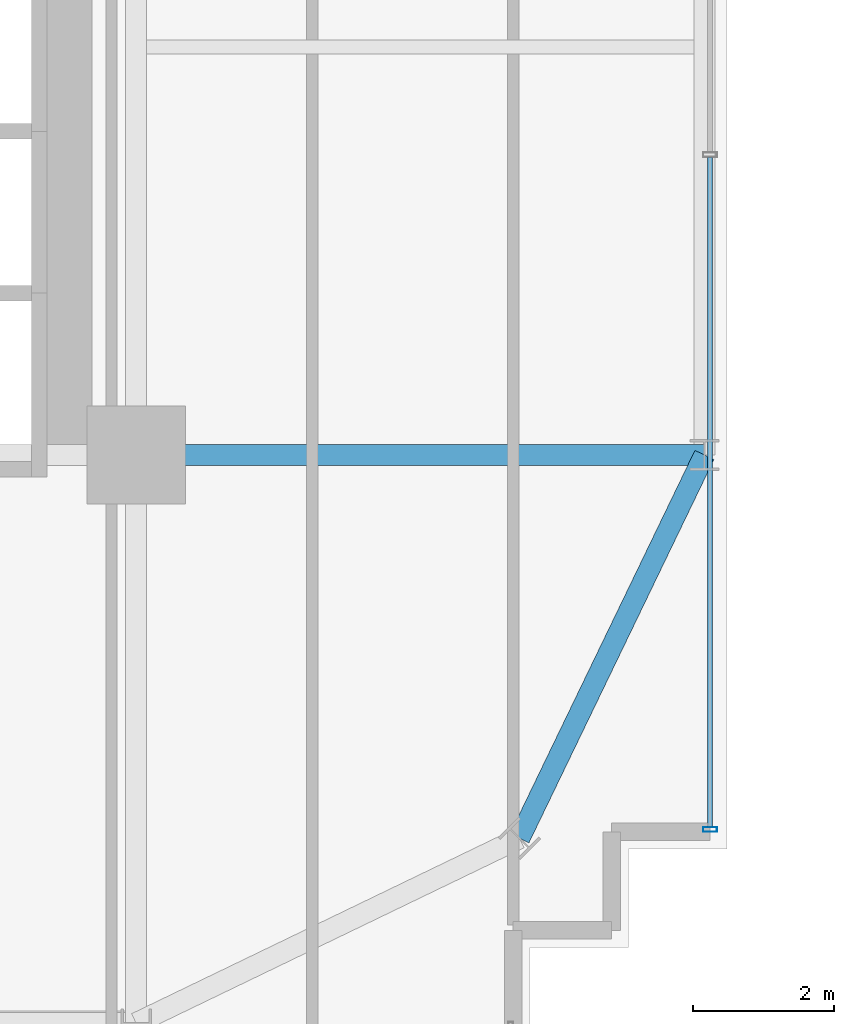
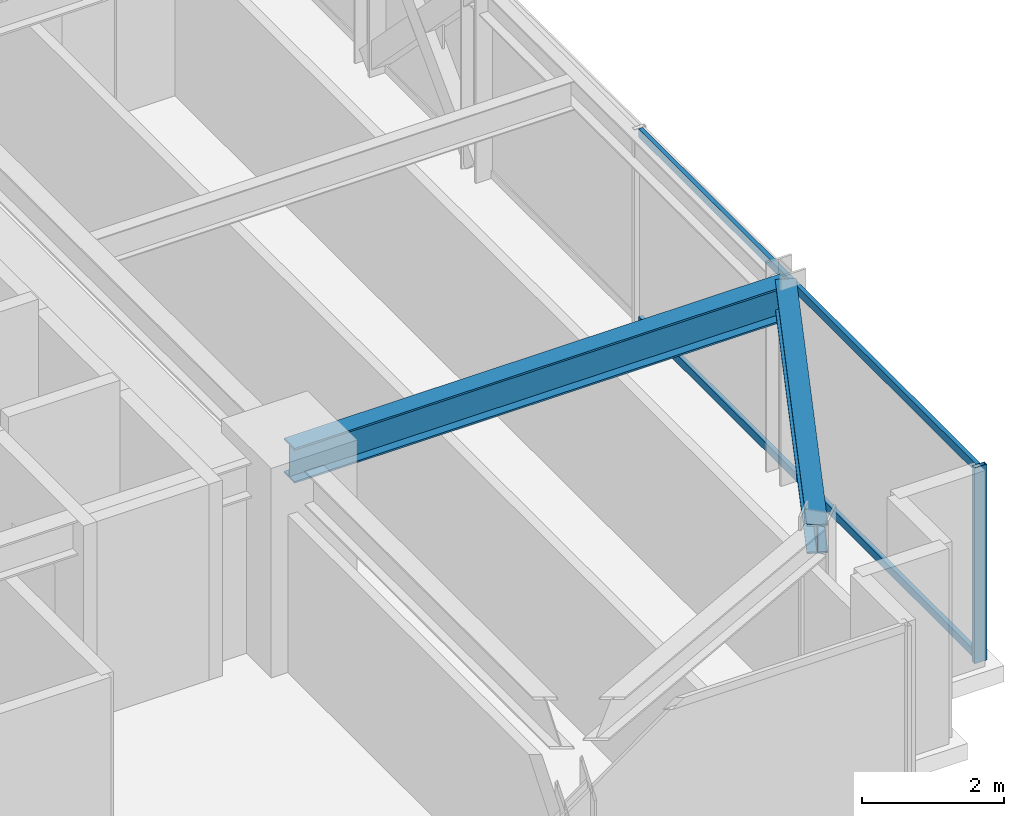
# One storey, part 14 of 43: 3 members, 2 beams, 1 element without a shape of its own.
"""IFC4 building model written with IfcOpenShell, lengths in metres."""

import ifcopenshell
import ifcopenshell.guid

model = None  # the IFC model being written
_history = None  # IfcOwnerHistory: only IFC2X3 demands one
_inside = {}  # id of a spatial element -> (the spatial element, [elements in it])
_under = {}  # id of a project, library or spatial element -> (it, [spatial elements below it])
_declared = {}  # id of a project -> (the project, [libraries it declares])
_typed = {}  # id of a type object -> (the type object, [elements of that type])
_made_of = {}  # id of a material, layer set ... -> (it, [elements and type objects made of it])


def new_model(schema):
    """Start an empty IFC model of exactly this schema.

    Asked for "IFC4X3", IfcOpenShell would pick the latest addendum, in which some entities
    have other attributes; the version numbers below select the first issue.
    IFC2X3 requires an IfcOwnerHistory on every rooted entity: one is made here for all.
    """
    global model, _history
    if schema == "IFC4X3":
        model = ifcopenshell.file(schema_version=(4, 3, 0, 0))
    else:
        model = ifcopenshell.file(schema=schema)
    _inside.clear()
    _under.clear()
    _declared.clear()
    _typed.clear()
    _made_of.clear()
    _history = None
    if model.schema == "IFC2X3":
        org = make("IfcOrganization", Name="unknown")
        user = make(
            "IfcPersonAndOrganization",
            ThePerson=make("IfcPerson", FamilyName="unknown"),
            TheOrganization=org,
        )
        app = make(
            "IfcApplication",
            ApplicationDeveloper=org,
            Version="unknown",
            ApplicationFullName="unknown",
            ApplicationIdentifier="unknown",
        )
        _history = make(
            "IfcOwnerHistory",
            OwningUser=user,
            OwningApplication=app,
            ChangeAction="ADDED",
            CreationDate=0,
        )
    return model


def make(cls, **values):
    """One entity of the class cls with the attributes given. An attribute that is None is left unset."""
    return model.create_entity(
        cls, **{name: value for name, value in values.items() if value is not None}
    )


def rooted(cls, **values):
    """An entity with a GlobalId (a new one), such as an element, a storey or a relation."""
    return make(cls, GlobalId=ifcopenshell.guid.new(), OwnerHistory=_history, **values)


def si_unit(unit_type, name, prefix=None):
    """IfcSIUnit, for example si_unit("LENGTHUNIT", "METRE", prefix="MILLI")."""
    return make("IfcSIUnit", UnitType=unit_type, Prefix=prefix, Name=name)


def assignment(units):
    """IfcUnitAssignment: the units of a project."""
    return None if units is None else make("IfcUnitAssignment", Units=units)


def point(xyz):
    """IfcCartesianPoint."""
    return None if xyz is None else make("IfcCartesianPoint", Coordinates=xyz)


def direction(xyz):
    """IfcDirection."""
    return None if xyz is None else make("IfcDirection", DirectionRatios=xyz)


def frame(location, z_axis=None, x_axis=None):
    """IfcAxis2Placement3D, a coordinate frame: its origin and axes. An axis left out is left unset."""
    return make(
        "IfcAxis2Placement3D",
        Location=point(location),
        Axis=direction(z_axis),
        RefDirection=direction(x_axis),
    )


def frame_2d(location, x_axis=None):
    """IfcAxis2Placement2D, a coordinate frame in the plane: its origin and x axis."""
    return make(
        "IfcAxis2Placement2D", Location=point(location), RefDirection=direction(x_axis)
    )


def origin():
    """The frame at (0, 0, 0) with its axes left unset."""
    return frame((0.0, 0.0, 0.0))


def origin_2d():
    """The frame at (0, 0) in the plane with its x axis left unset."""
    return frame_2d((0.0, 0.0))


def place(relative_to, where):
    """IfcLocalPlacement: puts the frame where relative to a parent placement (None: the world)."""
    return make(
        "IfcLocalPlacement", PlacementRelTo=relative_to, RelativePlacement=where
    )


def context(
    kind, dimensions, precision=None, world=None, true_north=None, identifier=None
):
    """IfcGeometricRepresentationContext, for example the 3D "Model" context."""
    return make(
        "IfcGeometricRepresentationContext",
        ContextIdentifier=identifier,
        ContextType=kind,
        CoordinateSpaceDimension=dimensions,
        Precision=precision,
        WorldCoordinateSystem=world,
        TrueNorth=true_north,
    )


def subcontext(parent, identifier, kind, view, scale=None):
    """IfcGeometricRepresentationSubContext, for example "Body" below "Model"."""
    return make(
        "IfcGeometricRepresentationSubContext",
        ContextIdentifier=identifier,
        ContextType=kind,
        ParentContext=parent,
        TargetScale=scale,
        TargetView=view,
    )


def project(units=None, contexts=None):
    """IfcProject with its units and contexts."""
    return rooted(
        "IfcProject",
        Name="project",
        RepresentationContexts=contexts,
        UnitsInContext=assignment(units),
    )


def spatial(cls, under=None, at=None, **own):
    """A site, building, storey or space (cls), placed at a placement, below another one or the project."""
    s = rooted(cls, ObjectPlacement=at, **own)
    if under is not None:
        _under.setdefault(under.id(), (under, []))[1].append(s)
    return s


def profile(cls, at=None, kind="AREA", **sizes):
    """A parametric profile (cls). Its sizes go by their IFC names, for example OverallWidth=200.0."""
    return make(cls, ProfileType=kind, Position=at, **sizes)


def hollow_rectangle(**sizes):
    """IfcRectangleHollowProfileDef."""
    return profile("IfcRectangleHollowProfileDef", **sizes)


def i_section(**sizes):
    """IfcIShapeProfileDef."""
    return profile("IfcIShapeProfileDef", **sizes)


def extrude(swept, where, along, depth):
    """IfcExtrudedAreaSolid: the profile swept, set in the frame where, extruded along a direction by depth."""
    return make(
        "IfcExtrudedAreaSolid",
        SweptArea=swept,
        Position=where,
        ExtrudedDirection=direction(along),
        Depth=depth,
    )


def shape(context_of_items, identifier, shape_type, items):
    """IfcShapeRepresentation: the items that make up one representation, for example the "Body"."""
    return make(
        "IfcShapeRepresentation",
        ContextOfItems=context_of_items,
        RepresentationIdentifier=identifier,
        RepresentationType=shape_type,
        Items=items,
    )


def source(mapping_origin, context_of_items, identifier, shape_type, items):
    """IfcRepresentationMap: a shape defined once, which mapped items show again and again."""
    return make(
        "IfcRepresentationMap",
        MappingOrigin=mapping_origin,
        MappedRepresentation=shape(context_of_items, identifier, shape_type, items),
    )


def transform(
    local_origin,
    x_axis=None,
    y_axis=None,
    z_axis=None,
    scale=None,
    scale2=None,
    scale3=None,
    uniform=True,
):
    """IfcCartesianTransformationOperator3D, or its non-uniform kind. x_axis, y_axis, z_axis: its Axis1, 2, 3."""
    if uniform:
        return make(
            "IfcCartesianTransformationOperator3D",
            Axis1=direction(x_axis),
            Axis2=direction(y_axis),
            LocalOrigin=point(local_origin),
            Scale=scale,
            Axis3=direction(z_axis),
        )
    return make(
        "IfcCartesianTransformationOperator3DnonUniform",
        Axis1=direction(x_axis),
        Axis2=direction(y_axis),
        LocalOrigin=point(local_origin),
        Scale=scale,
        Axis3=direction(z_axis),
        Scale2=scale2,
        Scale3=scale3,
    )


def mapped(mapping_source, mapping_target):
    """IfcMappedItem: shows the shape of a source again, moved by a transform."""
    return make(
        "IfcMappedItem", MappingSource=mapping_source, MappingTarget=mapping_target
    )


def material(Name=None, Category=None):
    """IfcMaterial."""
    return make("IfcMaterial", Name=Name, Category=Category)


def material_profile(
    of_material, cross_section, Name=None, Category=None, Priority=None
):
    """IfcMaterialProfile: a cross section and its material."""
    return make(
        "IfcMaterialProfile",
        Name=Name,
        Material=of_material,
        Profile=cross_section,
        Priority=Priority,
        Category=Category,
    )


def profile_set(profiles, Name=None, composite=None):
    """IfcMaterialProfileSet."""
    return make(
        "IfcMaterialProfileSet",
        Name=Name,
        MaterialProfiles=profiles,
        CompositeProfile=composite,
    )


def made_of(thing, what):
    """Note that an element or type object is made of a material, layer set ...; save() writes the relation."""
    if what is not None:
        _made_of.setdefault(what.id(), (what, []))[1].append(thing)
    return thing


def type_object(cls, material=None, **own):
    """A type object (cls), such as IfcWallType, which elements share."""
    return made_of(rooted(cls, **own), material)


def element(
    cls,
    number,
    at=None,
    inside=None,
    cuts=None,
    type_object=None,
    material=None,
    context=None,
    identifier="Body",
    shape_type=None,
    held_by="IfcProductDefinitionShape",
    body=None,
    shapes=None,
    **own,
):
    """One element of the class cls, such as IfcWall. Its Tag is "e" and its number.

    at: its placement. inside: the storey or other place that contains it. cuts: it is an
    opening in that element (IfcRelVoidsElement). A single representation is given by context,
    identifier, shape_type and body (its items); several are given by shapes. held_by: the class
    of the entity that holds the representations. save() writes the other relations.
    """
    e = rooted(cls, Tag="e%d" % number, ObjectPlacement=at, **own)
    if body is not None:
        shapes = [shape(context, identifier, shape_type, body)]
    if shapes is not None:
        e.Representation = make(held_by, Representations=shapes)
    if inside is not None:
        _inside.setdefault(inside.id(), (inside, []))[1].append(e)
    if cuts is not None:
        rooted(
            "IfcRelVoidsElement", RelatingBuildingElement=cuts, RelatedOpeningElement=e
        )
    if type_object is not None:
        _typed.setdefault(type_object.id(), (type_object, []))[1].append(e)
    return made_of(e, material)


def aggregate(whole, parts):
    """IfcRelAggregates: a whole, such as a stair, and the parts it consists of."""
    return rooted("IfcRelAggregates", RelatingObject=whole, RelatedObjects=parts)


def save(model, path):
    """Write the relations noted so far, then the file.

    IfcRelAggregates (storeys below a building ...), IfcRelContainedInSpatialStructure (elements
    in a storey), IfcRelDefinesByType, IfcRelAssociatesMaterial and IfcRelDeclares: one each for
    every whole, place, type object, material and project.
    """
    for whole, parts in _under.values():
        aggregate(whole, parts)
    for where, things in _inside.values():
        rooted(
            "IfcRelContainedInSpatialStructure",
            RelatedElements=things,
            RelatingStructure=where,
        )
    for kind, things in _typed.values():
        rooted("IfcRelDefinesByType", RelatedObjects=things, RelatingType=kind)
    for what, things in _made_of.values():
        rooted("IfcRelAssociatesMaterial", RelatedObjects=things, RelatingMaterial=what)
    for by, libraries in _declared.values():
        rooted("IfcRelDeclares", RelatingContext=by, RelatedDefinitions=libraries)
    model.write(path)


model = new_model("IFC4")

# Units and contexts
model_context = context("Model", 3, precision=1e-05, world=origin(), true_north=direction((0.0, 1.0)))
body_context = subcontext(model_context, "Body", "Model", "MODEL_VIEW")
ifc_project = project(units=[si_unit("LENGTHUNIT", "METRE"), si_unit("AREAUNIT", "SQUARE_METRE"), si_unit("VOLUMEUNIT", "CUBIC_METRE"), si_unit("PLANEANGLEUNIT", "RADIAN"), si_unit("MASSUNIT", "GRAM", prefix="KILO")], contexts=[model_context])

# Site, building, storey
site_placement = place(None, origin())
site = spatial("IfcSite", under=ifc_project, at=site_placement, CompositionType="ELEMENT")
building_placement = place(site_placement, origin())
building = spatial("IfcBuilding", under=site, at=building_placement, Name="Nahalor Promenade Grand Hotel", CompositionType="ELEMENT")
storey_placement = place(building_placement, frame((0.0, 0.0, 57.949951171875)))
storey = spatial("IfcBuildingStorey", under=building, at=storey_placement, Name="L13", CompositionType="ELEMENT", Elevation=57.949951171875)

# Beams
ifc_material_1 = material(Name="Steel S355JR", Category="steel")
ifc_material_profile_1 = material_profile(ifc_material_1, i_section(OverallWidth=0.3, OverallDepth=0.6, WebThickness=0.0155, FlangeThickness=0.03, at=origin_2d()), Name="HEB 600")
ifc_profile_set_1 = profile_set([ifc_material_profile_1], Name="Steel S355JR")
beam_type_1 = type_object("IfcBeamType", Name="Beam-Girder-HEB600", PredefinedType="BEAM", material=ifc_profile_set_1)
shared_shape_1 = source(origin(), body_context, "Body", "SweptSolid", [
    extrude(i_section(OverallWidth=0.3, OverallDepth=0.6, WebThickness=0.0155, FlangeThickness=0.03, at=origin_2d()), origin(), (0.0, 0.0, 1.0), 8.080078125),
])
beam_1_placement = place(storey_placement, frame((17.0, -17.0, 3.070068359375), z_axis=(1.0, 0.0, 0.0), x_axis=(0.0, 1.0, 0.0)))
element("IfcBeam", 1, at=beam_1_placement, inside=storey, type_object=beam_type_1, Name="BM-L13-GX-0-6", PredefinedType="BEAM", context=body_context, shape_type="MappedRepresentation", body=[
    mapped(shared_shape_1, transform((0.0, 0.0, 0.0), scale=1.0)),
])
ifc_material_profile_2 = material_profile(ifc_material_1, i_section(OverallWidth=0.3, OverallDepth=0.5, WebThickness=0.0145, FlangeThickness=0.028, at=origin_2d()), Name="HEB 500")
ifc_profile_set_2 = profile_set([ifc_material_profile_2], Name="Steel S355JR")
beam_type_2 = type_object("IfcBeamType", Name="Beam-Spandrel-HEB500", PredefinedType="SPANDREL", material=ifc_profile_set_2)
shared_shape_2 = source(origin(), body_context, "Body", "SweptSolid", [
    extrude(i_section(OverallWidth=0.3, OverallDepth=0.5, WebThickness=0.0145, FlangeThickness=0.028, at=origin_2d()), origin(), (0.0, 0.0, 1.0), 6.051513671875),
])
beam_2_placement = place(storey_placement, frame((22.449951171875, -22.449951171875, 3.1201171875), z_axis=(0.434630596492, 0.900608818852, 0.0), x_axis=(-0.900608818852, 0.434630596492, 0.0)))
element("IfcBeam", 2, at=beam_2_placement, inside=storey, type_object=beam_type_2, Name="BM-L13-SPC-SE-2", PredefinedType="SPANDREL", context=body_context, shape_type="MappedRepresentation", body=[
    mapped(shared_shape_2, transform((0.0, 0.0, 0.0), scale=1.0)),
])

# Curtain wall, members
ifc_material_2 = material(Name="Anodised Bronze Aluminium EN AW-6063 T6", Category="aluminium")
curtain_wall_type = type_object("IfcCurtainWallType", Name="CW3 Elliptical-Void Collar Unitised Curtain Wall", PredefinedType="USERDEFINED", material=ifc_material_2)
curtain_wall_placement = place(storey_placement, origin())
curtain_wall = element("IfcCurtainWall", 3, at=curtain_wall_placement, inside=storey, type_object=curtain_wall_type, Name="L13 Curtain Wall CW-L13-E-1", ObjectType="UNITISED_CURTAIN_WALL", PredefinedType="USERDEFINED")
ifc_material_profile_3 = material_profile(ifc_material_2, hollow_rectangle(XDim=0.07, YDim=0.2, WallThickness=0.005, at=origin_2d()), Name="CWM 70x200x5")
ifc_profile_set_3 = profile_set([ifc_material_profile_3], Name="Anodised Bronze Aluminium EN AW-6063 T6")
member_type_1 = type_object("IfcMemberType", Name="CWM3 Void Collar Mullion 70x200", PredefinedType="MULLION", material=ifc_profile_set_3)
shared_shape_3 = source(origin(), body_context, "Body", "SweptSolid", [
    extrude(hollow_rectangle(XDim=0.07, YDim=0.2, WallThickness=0.005, at=origin_2d()), origin(), (0.0, 0.0, 1.0), 3.3701171875),
])
member_1_placement = place(storey_placement, frame((25.159912109375, -22.324951171875, 0.0), z_axis=(0.0, 0.0, 1.0), x_axis=(0.0, 1.0, 0.0)))
member_1 = element("IfcMember", 4, at=member_1_placement, type_object=member_type_1, Name="CW-L13-E-1 Mullion 0", PredefinedType="MULLION", context=body_context, shape_type="MappedRepresentation", body=[
    mapped(shared_shape_3, transform((0.0, 0.0, 0.0), scale=1.0)),
])
ifc_material_profile_4 = material_profile(ifc_material_2, hollow_rectangle(XDim=0.07, YDim=0.14, WallThickness=0.004, at=origin_2d()), Name="CWT 70x140x4")
ifc_profile_set_4 = profile_set([ifc_material_profile_4], Name="Anodised Bronze Aluminium EN AW-6063 T6")
member_type_2 = type_object("IfcMemberType", Name="CWT3 Void Collar Transom 70x140", PredefinedType="USERDEFINED", material=ifc_profile_set_4)
shared_shape_4 = source(origin(), body_context, "Body", "SweptSolid", [
    extrude(hollow_rectangle(XDim=0.07, YDim=0.14, WallThickness=0.004, at=origin_2d()), origin(), (0.0, 0.0, 1.0), 9.525146484375),
])
member_2_placement = place(storey_placement, frame((25.159912109375, -22.2900390625, 0.070068359375), z_axis=(0.0, 1.0, 0.0), x_axis=(-1.0, 0.0, 0.0)))
member_2 = element("IfcMember", 5, at=member_2_placement, type_object=member_type_2, Name="CW-L13-E-1 Transom 0-0", ObjectType="TRANSOM", PredefinedType="USERDEFINED", context=body_context, shape_type="MappedRepresentation", body=[
    mapped(shared_shape_4, transform((0.0, 0.0, 0.0), scale=1.0)),
])
member_3_placement = place(storey_placement, frame((25.159912109375, -22.2900390625, 3.300048828125), z_axis=(0.0, 1.0, 0.0), x_axis=(-1.0, 0.0, 0.0)))
member_3 = element("IfcMember", 6, at=member_3_placement, type_object=member_type_2, Name="CW-L13-E-1 Transom 0-1", ObjectType="TRANSOM", PredefinedType="USERDEFINED", context=body_context, shape_type="MappedRepresentation", body=[
    mapped(shared_shape_4, transform((0.0, 0.0, 0.0), scale=1.0)),
])
aggregate(curtain_wall, [member_1, member_2, member_3])

save(model, "model.ifc")
